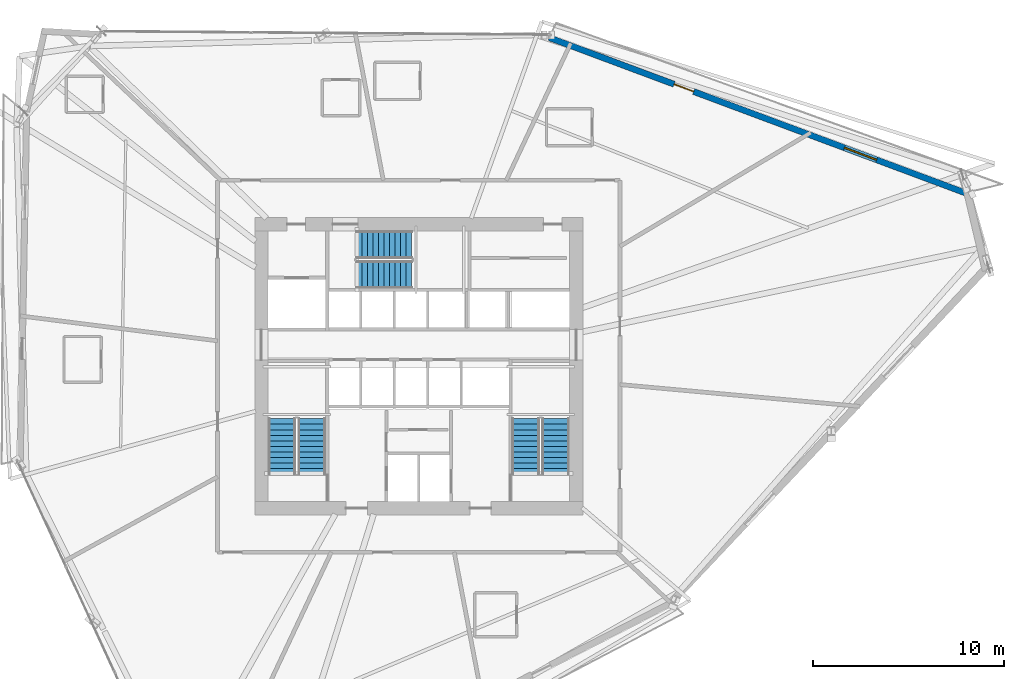
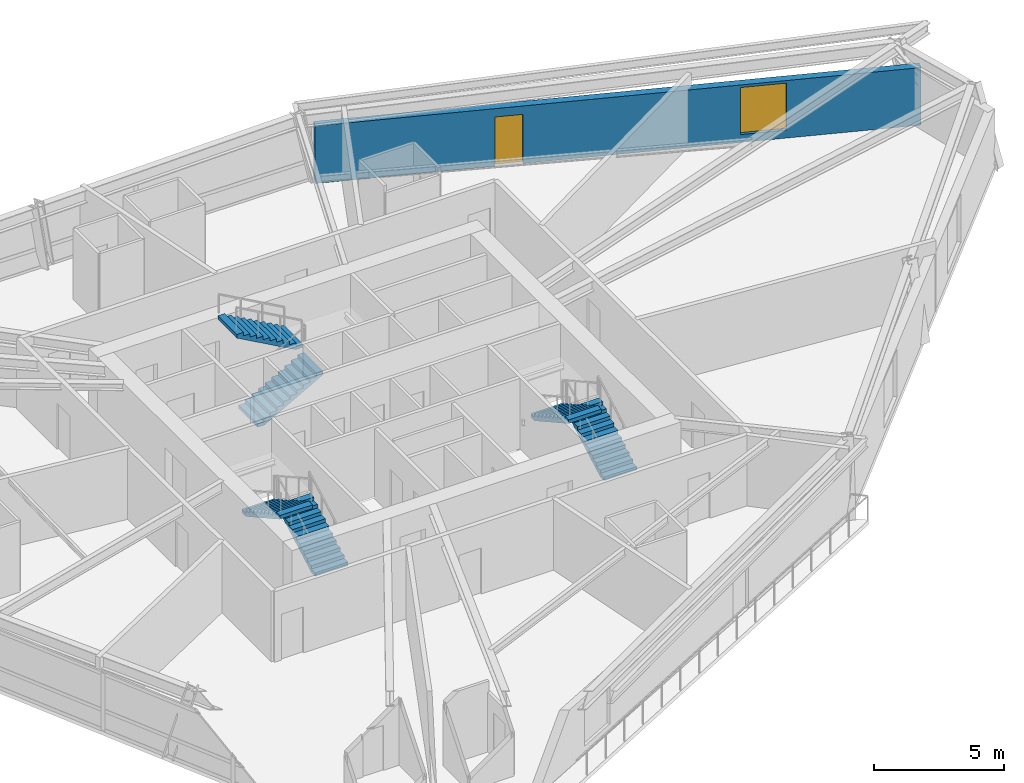
# One storey, part 18 of 22: 6 stair flights, 1 door, 1 wall, 1 window, 2 openings, 3 elements without a shape of their own.
"""IFC4 building model written with IfcOpenShell, lengths in metres."""

from ifc_helpers import new_model, si_unit, direction, frame, frame_2d, origin, place, context, subcontext, project, spatial, polyline, rectangle, outline, extrude, source, transform, mapped, material, layer, layer_set, type_object, type_shapes, element, fill, aggregate, save


model = new_model("IFC4")

# Units and contexts
model_context = context("Model", 3, precision=1e-05, world=origin(), true_north=direction((0.0, 1.0)))
body_context = subcontext(model_context, "Body", "Model", "MODEL_VIEW")
ifc_project = project(units=[si_unit("LENGTHUNIT", "METRE"), si_unit("AREAUNIT", "SQUARE_METRE"), si_unit("VOLUMEUNIT", "CUBIC_METRE"), si_unit("PLANEANGLEUNIT", "RADIAN"), si_unit("MASSUNIT", "GRAM", prefix="KILO")], contexts=[model_context])

# Site, building, storey
site_placement = place(None, origin())
site = spatial("IfcSite", under=ifc_project, at=site_placement, CompositionType="ELEMENT")
building_placement = place(site_placement, origin())
building = spatial("IfcBuilding", under=site, at=building_placement, Name="Olszyna Solenne Hotel", CompositionType="ELEMENT")
storey_placement = place(building_placement, frame((0.0, 0.0, 95.050048828125)))
storey = spatial("IfcBuildingStorey", under=building, at=storey_placement, Name="L24", CompositionType="ELEMENT", Elevation=95.050048828125)

# Wall, openings, door, window
ifc_material_1 = material(Name="Precast concrete C45/55", Category="concrete")
ifc_layer = layer(ifc_material_1, 0.320068359375, Name="Precast concrete C45/55")
ifc_layer_set = layer_set([ifc_layer], Name="Precast concrete C45/55")
wall_type = type_object("IfcWallType", Name="WL-EX320", PredefinedType="SOLIDWALL", material=ifc_layer_set)
wall_placement = place(storey_placement, frame((44.84033203125, 43.83056640625, 0.0), z_axis=(0.0, 0.0, 1.0), x_axis=(0.936918509678, -0.349547859704, 0.0)))
wall = element("IfcWall", 1, at=wall_placement, inside=storey, type_object=wall_type, Name="Exterior terracotta-precast frame wall WL-EX320 EW-L24-08", PredefinedType="SOLIDWALL", context=body_context, shape_type="SweptSolid", body=[
    extrude(rectangle(XDim=23.543212890625, YDim=0.320068359375, at=frame_2d((11.771484375, 0.0))), origin(), (0.0, 0.0, 1.0), 2.69189453125),
])
opening_1_placement = place(wall_placement, frame((6.98388671875, 0.0, 0.0)))
opening_1 = element("IfcOpeningElement", 2, at=opening_1_placement, cuts=wall, Name="Opening LDG-L24-1", PredefinedType="OPENING", context=body_context, shape_type="SweptSolid", body=[
    extrude(rectangle(XDim=1.10009765625, YDim=2.300048828125, at=frame_2d((0.550048828125, 1.14990234375))), frame((0.0, 0.169921875, 0.0), z_axis=(0.0, -1.0, 0.0), x_axis=(1.0, 0.0, 0.0)), (0.0, 0.0, 1.0), 0.340087890625),
])
opening_2_placement = place(wall_placement, frame((16.52197265625, 0.0, 0.3720703125)))
opening_2 = element("IfcOpeningElement", 3, at=opening_2_placement, cuts=wall, Name="Opening WN-L24-130", PredefinedType="OPENING", context=body_context, shape_type="SweptSolid", body=[
    extrude(rectangle(XDim=1.800048828125, YDim=2.199951171875, at=frame_2d((0.89990234375, 1.10009765625))), frame((0.0, 0.169921875, 0.0), z_axis=(0.0, -1.0, 0.0), x_axis=(1.0, 0.0, 0.0)), (0.0, 0.0, 1.0), 0.340087890625),
])
ifc_material_2 = material(Name="Anodised bronze aluminium", Category="aluminium")
door_type = type_object("IfcDoorType", Name="DR-LG1", OperationType="NOTDEFINED", PredefinedType="DOOR", material=ifc_material_2)
shared_shape_1 = source(origin(), body_context, "Body", "SweptSolid", [
    extrude(rectangle(XDim=1.10009765625, YDim=2.300048828125, at=frame_2d((0.550048828125, 1.14990234375))), frame((0.0, 0.02490234375, 0.0), z_axis=(0.0, -1.0, 0.0), x_axis=(1.0, 0.0, 0.0)), (0.0, 0.0, 1.0), 0.050048828125),
])
type_shapes(door_type, [shared_shape_1])
door_placement = place(opening_1_placement, origin())
door = element("IfcDoor", 4, at=door_placement, inside=storey, type_object=door_type, Name="Exterior loggia balcony door DR-LG1 LDG-L24-1", OperationType="SINGLE_SWING_RIGHT", OverallHeight=2.300048828125, OverallWidth=1.10009765625, PredefinedType="DOOR", context=body_context, shape_type="MappedRepresentation", body=[
    mapped(shared_shape_1, transform((0.0, 0.0, 0.0), x_axis=(1.0, 0.0, 0.0), y_axis=(0.0, 1.0, 0.0), z_axis=(0.0, 0.0, 1.0), scale=1.0)),
])
fill(opening_1, door)
ifc_material_3 = material(Name="Low-E triple glazing", Category="glass")
window_type = type_object("IfcWindowType", Name="WN-HT1", PartitioningType="SINGLE_PANEL", PredefinedType="WINDOW", material=ifc_material_3)
shared_shape_2 = source(origin(), body_context, "Body", "SweptSolid", [
    extrude(rectangle(XDim=1.800048828125, YDim=2.199951171875, at=frame_2d((0.89990234375, 1.10009765625))), frame((0.0, 0.030029296875, 0.0), z_axis=(0.0, -1.0, 0.0), x_axis=(1.0, 0.0, 0.0)), (0.0, 0.0, 1.0), 0.06005859375),
])
type_shapes(window_type, [shared_shape_2])
window_placement = place(opening_2_placement, origin())
window = element("IfcWindow", 5, at=window_placement, inside=storey, type_object=window_type, Name="Loggia room window WN-HT1 WN-L24-130", OverallHeight=2.199951171875, OverallWidth=1.800048828125, PartitioningType="SINGLE_PANEL", PredefinedType="WINDOW", context=body_context, shape_type="MappedRepresentation", body=[
    mapped(shared_shape_2, transform((0.0, 0.0, 0.0), x_axis=(1.0, 0.0, 0.0), y_axis=(0.0, 1.0, 0.0), z_axis=(0.0, 0.0, 1.0), scale=1.0)),
])
fill(opening_2, window)

# Stair, stair flights
ifc_material_4 = material(Name="Concrete C40/50", Category="concrete")
stair_type = type_object("IfcStairType", Name="STR-C1", PredefinedType="TWO_QUARTER_WINDING_STAIR", material=ifc_material_4)
stair_1_placement = place(storey_placement, origin())
stair_1 = element("IfcStair", 6, at=stair_1_placement, inside=storey, type_object=stair_type, Name="L24 ST1", PredefinedType="TWO_QUARTER_WINDING_STAIR")
stair_flight_type = type_object("IfcStairFlightType", Name="FLT-C1", PredefinedType="STRAIGHT", material=ifc_material_4)
stair_flight_1_placement = place(storey_placement, frame((32.39501953125, 20.949951171875, 0.0), z_axis=(0.0, 0.0, 1.0), x_axis=(0.0, 1.0, 0.0)))
stair_flight_1 = element("IfcStairFlight", 7, at=stair_flight_1_placement, type_object=stair_flight_type, Name="ST1 flight 1", NumberOfRisers=11, NumberOfTreads=10, PredefinedType="STRAIGHT", RiserHeight=0.161363636, TreadLength=0.29, context=body_context, shape_type="SweptSolid", body=[
    extrude(outline(polyline([(0.0, 0.0), (0.0, 0.161376953125), (0.2900390625, 0.161376953125), (0.2900390625, 0.32275390625), (0.580078125, 0.32275390625), (0.580078125, 0.484130859375), (0.8701171875, 0.484130859375), (0.8701171875, 0.6455078125), (1.159912109375, 0.6455078125), (1.159912109375, 0.806884765625), (1.449951171875, 0.806884765625), (1.449951171875, 0.96826171875), (1.739990234375, 0.96826171875), (1.739990234375, 1.129638671875), (2.030029296875, 1.129638671875), (2.030029296875, 1.291015625), (2.320068359375, 1.291015625), (2.320068359375, 1.452392578125), (2.610107421875, 1.452392578125), (2.610107421875, 1.613525390625), (2.89990234375, 1.613525390625), (2.89990234375, 1.77490234375), (2.89990234375, 1.442138671875), (0.308349609375, 0.0), (0.0, 0.0)])), frame((0.0, 0.72509765625, 0.0), z_axis=(0.0, -1.0, 0.0), x_axis=(1.0, 0.0, 0.0)), (0.0, 0.0, 1.0), 1.449951171875),
])
stair_flight_2_placement = place(storey_placement, frame((30.824951171875, 23.85009765625, 1.77490234375), z_axis=(0.0, 0.0, 1.0), x_axis=(0.0, -1.0, 0.0)))
stair_flight_2 = element("IfcStairFlight", 8, at=stair_flight_2_placement, type_object=stair_flight_type, Name="ST1 flight 2", NumberOfRisers=11, NumberOfTreads=10, PredefinedType="STRAIGHT", RiserHeight=0.161363636, TreadLength=0.29, context=body_context, shape_type="SweptSolid", body=[
    extrude(outline(polyline([(0.0, 0.0), (0.0, 0.161376953125), (0.2900390625, 0.161376953125), (0.2900390625, 0.32275390625), (0.580078125, 0.32275390625), (0.580078125, 0.484130859375), (0.8701171875, 0.484130859375), (0.8701171875, 0.6455078125), (1.159912109375, 0.6455078125), (1.159912109375, 0.806884765625), (1.449951171875, 0.806884765625), (1.449951171875, 0.96826171875), (1.739990234375, 0.96826171875), (1.739990234375, 1.129638671875), (2.030029296875, 1.129638671875), (2.030029296875, 1.291015625), (2.320068359375, 1.291015625), (2.320068359375, 1.452392578125), (2.610107421875, 1.452392578125), (2.610107421875, 1.613525390625), (2.89990234375, 1.613525390625), (2.89990234375, 1.77490234375), (2.89990234375, 1.442138671875), (0.308349609375, 0.0), (0.0, 0.0)])), frame((0.0, 0.72509765625, 0.0), z_axis=(0.0, -1.0, 0.0), x_axis=(1.0, 0.0, 0.0)), (0.0, 0.0, 1.0), 1.449951171875),
])
aggregate(stair_1, [stair_flight_1, stair_flight_2])

stair_2_placement = place(storey_placement, origin())
stair_2 = element("IfcStair", 9, at=stair_2_placement, inside=storey, type_object=stair_type, Name="L24 ST2", PredefinedType="TWO_QUARTER_WINDING_STAIR")
stair_flight_3_placement = place(storey_placement, frame((45.175048828125, 20.949951171875, 0.0), z_axis=(0.0, 0.0, 1.0), x_axis=(0.0, 1.0, 0.0)))
stair_flight_3 = element("IfcStairFlight", 10, at=stair_flight_3_placement, type_object=stair_flight_type, Name="ST2 flight 1", NumberOfRisers=11, NumberOfTreads=10, PredefinedType="STRAIGHT", RiserHeight=0.161363636, TreadLength=0.29, context=body_context, shape_type="SweptSolid", body=[
    extrude(outline(polyline([(0.0, 0.0), (0.0, 0.161376953125), (0.2900390625, 0.161376953125), (0.2900390625, 0.32275390625), (0.580078125, 0.32275390625), (0.580078125, 0.484130859375), (0.8701171875, 0.484130859375), (0.8701171875, 0.6455078125), (1.159912109375, 0.6455078125), (1.159912109375, 0.806884765625), (1.449951171875, 0.806884765625), (1.449951171875, 0.96826171875), (1.739990234375, 0.96826171875), (1.739990234375, 1.129638671875), (2.030029296875, 1.129638671875), (2.030029296875, 1.291015625), (2.320068359375, 1.291015625), (2.320068359375, 1.452392578125), (2.610107421875, 1.452392578125), (2.610107421875, 1.613525390625), (2.89990234375, 1.613525390625), (2.89990234375, 1.77490234375), (2.89990234375, 1.442138671875), (0.308349609375, 0.0), (0.0, 0.0)])), frame((0.0, 0.72509765625, 0.0), z_axis=(0.0, -1.0, 0.0), x_axis=(1.0, 0.0, 0.0)), (0.0, 0.0, 1.0), 1.449951171875),
])
stair_flight_4_placement = place(storey_placement, frame((43.60498046875, 23.85009765625, 1.77490234375), z_axis=(0.0, 0.0, 1.0), x_axis=(0.0, -1.0, 0.0)))
stair_flight_4 = element("IfcStairFlight", 11, at=stair_flight_4_placement, type_object=stair_flight_type, Name="ST2 flight 2", NumberOfRisers=11, NumberOfTreads=10, PredefinedType="STRAIGHT", RiserHeight=0.161363636, TreadLength=0.29, context=body_context, shape_type="SweptSolid", body=[
    extrude(outline(polyline([(0.0, 0.0), (0.0, 0.161376953125), (0.2900390625, 0.161376953125), (0.2900390625, 0.32275390625), (0.580078125, 0.32275390625), (0.580078125, 0.484130859375), (0.8701171875, 0.484130859375), (0.8701171875, 0.6455078125), (1.159912109375, 0.6455078125), (1.159912109375, 0.806884765625), (1.449951171875, 0.806884765625), (1.449951171875, 0.96826171875), (1.739990234375, 0.96826171875), (1.739990234375, 1.129638671875), (2.030029296875, 1.129638671875), (2.030029296875, 1.291015625), (2.320068359375, 1.291015625), (2.320068359375, 1.452392578125), (2.610107421875, 1.452392578125), (2.610107421875, 1.613525390625), (2.89990234375, 1.613525390625), (2.89990234375, 1.77490234375), (2.89990234375, 1.442138671875), (0.308349609375, 0.0), (0.0, 0.0)])), frame((0.0, 0.72509765625, 0.0), z_axis=(0.0, -1.0, 0.0), x_axis=(1.0, 0.0, 0.0)), (0.0, 0.0, 1.0), 1.449951171875),
])
aggregate(stair_2, [stair_flight_3, stair_flight_4])

stair_3_placement = place(storey_placement, origin())
stair_3 = element("IfcStair", 12, at=stair_3_placement, inside=storey, type_object=stair_type, Name="L24 ST3", PredefinedType="TWO_QUARTER_WINDING_STAIR")
stair_flight_5_placement = place(storey_placement, frame((34.72998046875, 31.405029296875, 0.0), z_axis=(0.0, 0.0, 1.0), x_axis=(1.0, 0.0, 0.0)))
stair_flight_5 = element("IfcStairFlight", 13, at=stair_flight_5_placement, type_object=stair_flight_type, Name="ST3 flight 1", NumberOfRisers=11, NumberOfTreads=10, PredefinedType="STRAIGHT", RiserHeight=0.161363636, TreadLength=0.29, context=body_context, shape_type="SweptSolid", body=[
    extrude(outline(polyline([(0.0, 0.0), (0.0, 0.161376953125), (0.2900390625, 0.161376953125), (0.2900390625, 0.32275390625), (0.580078125, 0.32275390625), (0.580078125, 0.484130859375), (0.8701171875, 0.484130859375), (0.8701171875, 0.6455078125), (1.159912109375, 0.6455078125), (1.159912109375, 0.806884765625), (1.449951171875, 0.806884765625), (1.449951171875, 0.96826171875), (1.739990234375, 0.96826171875), (1.739990234375, 1.129638671875), (2.030029296875, 1.129638671875), (2.030029296875, 1.291015625), (2.320068359375, 1.291015625), (2.320068359375, 1.452392578125), (2.610107421875, 1.452392578125), (2.610107421875, 1.613525390625), (2.89990234375, 1.613525390625), (2.89990234375, 1.77490234375), (2.89990234375, 1.442138671875), (0.308349609375, 0.0), (0.0, 0.0)])), frame((0.0, 0.72509765625, 0.0), z_axis=(0.0, -1.0, 0.0), x_axis=(1.0, 0.0, 0.0)), (0.0, 0.0, 1.0), 1.449951171875),
])
stair_flight_6_placement = place(storey_placement, frame((37.6298828125, 32.97509765625, 1.77490234375), z_axis=(0.0, 0.0, 1.0), x_axis=(-1.0, 0.0, 0.0)))
stair_flight_6 = element("IfcStairFlight", 14, at=stair_flight_6_placement, type_object=stair_flight_type, Name="ST3 flight 2", NumberOfRisers=11, NumberOfTreads=10, PredefinedType="STRAIGHT", RiserHeight=0.161363636, TreadLength=0.29, context=body_context, shape_type="SweptSolid", body=[
    extrude(outline(polyline([(0.0, 0.0), (0.0, 0.161376953125), (0.2900390625, 0.161376953125), (0.2900390625, 0.32275390625), (0.580078125, 0.32275390625), (0.580078125, 0.484130859375), (0.8701171875, 0.484130859375), (0.8701171875, 0.6455078125), (1.159912109375, 0.6455078125), (1.159912109375, 0.806884765625), (1.449951171875, 0.806884765625), (1.449951171875, 0.96826171875), (1.739990234375, 0.96826171875), (1.739990234375, 1.129638671875), (2.030029296875, 1.129638671875), (2.030029296875, 1.291015625), (2.320068359375, 1.291015625), (2.320068359375, 1.452392578125), (2.610107421875, 1.452392578125), (2.610107421875, 1.613525390625), (2.89990234375, 1.613525390625), (2.89990234375, 1.77490234375), (2.89990234375, 1.442138671875), (0.308349609375, 0.0), (0.0, 0.0)])), frame((0.0, 0.72509765625, 0.0), z_axis=(0.0, -1.0, 0.0), x_axis=(1.0, 0.0, 0.0)), (0.0, 0.0, 1.0), 1.449951171875),
])
aggregate(stair_3, [stair_flight_5, stair_flight_6])

save(model, "model.ifc")
